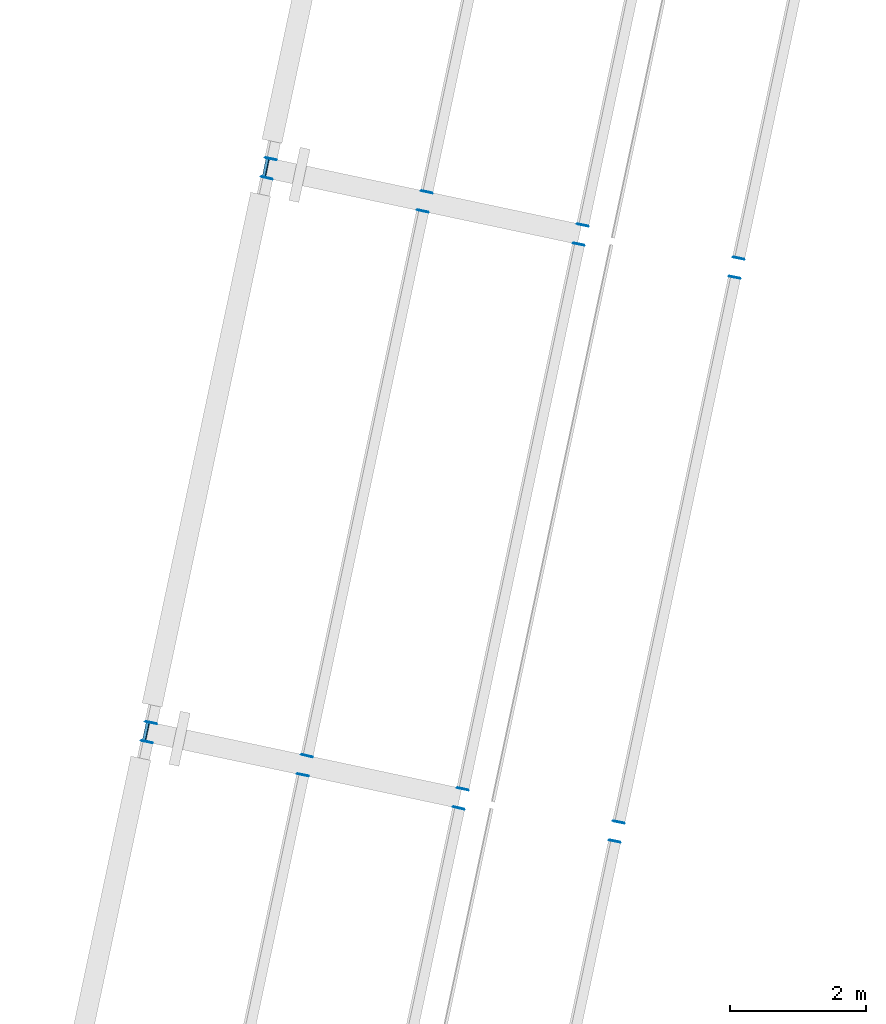
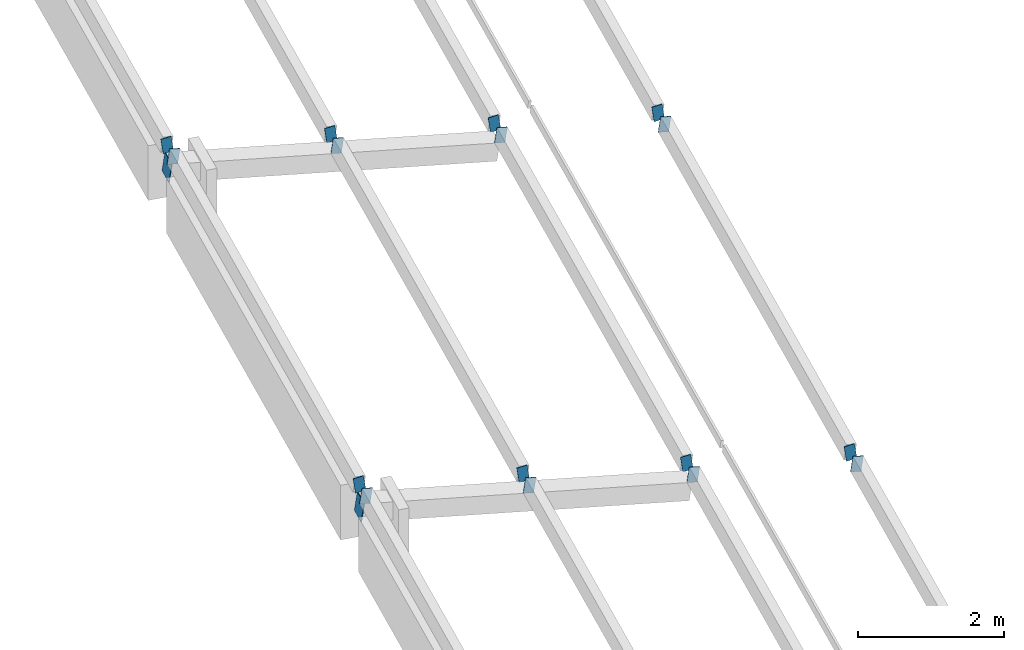
# One storey, part 58 of 69: 18 discrete accessories.
"""IFC4 building model written with IfcOpenShell, lengths in metres."""

import ifcopenshell
import ifcopenshell.guid

model = None  # the IFC model being written
_history = None  # IfcOwnerHistory: only IFC2X3 demands one
_inside = {}  # id of a spatial element -> (the spatial element, [elements in it])
_under = {}  # id of a project, library or spatial element -> (it, [spatial elements below it])
_declared = {}  # id of a project -> (the project, [libraries it declares])
_typed = {}  # id of a type object -> (the type object, [elements of that type])
_made_of = {}  # id of a material, layer set ... -> (it, [elements and type objects made of it])


def new_model(schema):
    """Start an empty IFC model of exactly this schema.

    Asked for "IFC4X3", IfcOpenShell would pick the latest addendum, in which some entities
    have other attributes; the version numbers below select the first issue.
    IFC2X3 requires an IfcOwnerHistory on every rooted entity: one is made here for all.
    """
    global model, _history
    if schema == "IFC4X3":
        model = ifcopenshell.file(schema_version=(4, 3, 0, 0))
    else:
        model = ifcopenshell.file(schema=schema)
    _inside.clear()
    _under.clear()
    _declared.clear()
    _typed.clear()
    _made_of.clear()
    _history = None
    if model.schema == "IFC2X3":
        org = make("IfcOrganization", Name="unknown")
        user = make(
            "IfcPersonAndOrganization",
            ThePerson=make("IfcPerson", FamilyName="unknown"),
            TheOrganization=org,
        )
        app = make(
            "IfcApplication",
            ApplicationDeveloper=org,
            Version="unknown",
            ApplicationFullName="unknown",
            ApplicationIdentifier="unknown",
        )
        _history = make(
            "IfcOwnerHistory",
            OwningUser=user,
            OwningApplication=app,
            ChangeAction="ADDED",
            CreationDate=0,
        )
    return model


def make(cls, **values):
    """One entity of the class cls with the attributes given. An attribute that is None is left unset."""
    return model.create_entity(
        cls, **{name: value for name, value in values.items() if value is not None}
    )


def rooted(cls, **values):
    """An entity with a GlobalId (a new one), such as an element, a storey or a relation."""
    return make(cls, GlobalId=ifcopenshell.guid.new(), OwnerHistory=_history, **values)


def si_unit(unit_type, name, prefix=None):
    """IfcSIUnit, for example si_unit("LENGTHUNIT", "METRE", prefix="MILLI")."""
    return make("IfcSIUnit", UnitType=unit_type, Prefix=prefix, Name=name)


def assignment(units):
    """IfcUnitAssignment: the units of a project."""
    return None if units is None else make("IfcUnitAssignment", Units=units)


def point(xyz):
    """IfcCartesianPoint."""
    return None if xyz is None else make("IfcCartesianPoint", Coordinates=xyz)


def direction(xyz):
    """IfcDirection."""
    return None if xyz is None else make("IfcDirection", DirectionRatios=xyz)


def frame(location, z_axis=None, x_axis=None):
    """IfcAxis2Placement3D, a coordinate frame: its origin and axes. An axis left out is left unset."""
    return make(
        "IfcAxis2Placement3D",
        Location=point(location),
        Axis=direction(z_axis),
        RefDirection=direction(x_axis),
    )


def frame_2d(location, x_axis=None):
    """IfcAxis2Placement2D, a coordinate frame in the plane: its origin and x axis."""
    return make(
        "IfcAxis2Placement2D", Location=point(location), RefDirection=direction(x_axis)
    )


def origin():
    """The frame at (0, 0, 0) with its axes left unset."""
    return frame((0.0, 0.0, 0.0))


def origin_2d():
    """The frame at (0, 0) in the plane with its x axis left unset."""
    return frame_2d((0.0, 0.0))


def place(relative_to, where):
    """IfcLocalPlacement: puts the frame where relative to a parent placement (None: the world)."""
    return make(
        "IfcLocalPlacement", PlacementRelTo=relative_to, RelativePlacement=where
    )


def context(
    kind, dimensions, precision=None, world=None, true_north=None, identifier=None
):
    """IfcGeometricRepresentationContext, for example the 3D "Model" context."""
    return make(
        "IfcGeometricRepresentationContext",
        ContextIdentifier=identifier,
        ContextType=kind,
        CoordinateSpaceDimension=dimensions,
        Precision=precision,
        WorldCoordinateSystem=world,
        TrueNorth=true_north,
    )


def subcontext(parent, identifier, kind, view, scale=None):
    """IfcGeometricRepresentationSubContext, for example "Body" below "Model"."""
    return make(
        "IfcGeometricRepresentationSubContext",
        ContextIdentifier=identifier,
        ContextType=kind,
        ParentContext=parent,
        TargetScale=scale,
        TargetView=view,
    )


def project(units=None, contexts=None):
    """IfcProject with its units and contexts."""
    return rooted(
        "IfcProject",
        Name="project",
        RepresentationContexts=contexts,
        UnitsInContext=assignment(units),
    )


def spatial(cls, under=None, at=None, **own):
    """A site, building, storey or space (cls), placed at a placement, below another one or the project."""
    s = rooted(cls, ObjectPlacement=at, **own)
    if under is not None:
        _under.setdefault(under.id(), (under, []))[1].append(s)
    return s


def profile(cls, at=None, kind="AREA", **sizes):
    """A parametric profile (cls). Its sizes go by their IFC names, for example OverallWidth=200.0."""
    return make(cls, ProfileType=kind, Position=at, **sizes)


def rectangle(**sizes):
    """IfcRectangleProfileDef."""
    return profile("IfcRectangleProfileDef", **sizes)


def extrude(swept, where, along, depth):
    """IfcExtrudedAreaSolid: the profile swept, set in the frame where, extruded along a direction by depth."""
    return make(
        "IfcExtrudedAreaSolid",
        SweptArea=swept,
        Position=where,
        ExtrudedDirection=direction(along),
        Depth=depth,
    )


def shape(context_of_items, identifier, shape_type, items):
    """IfcShapeRepresentation: the items that make up one representation, for example the "Body"."""
    return make(
        "IfcShapeRepresentation",
        ContextOfItems=context_of_items,
        RepresentationIdentifier=identifier,
        RepresentationType=shape_type,
        Items=items,
    )


def material(Name=None, Category=None):
    """IfcMaterial."""
    return make("IfcMaterial", Name=Name, Category=Category)


def layer(
    of_material, thickness, ventilated=None, Name=None, Category=None, Priority=None
):
    """IfcMaterialLayer: one layer of a wall or slab, of a material (None: an air gap)."""
    return make(
        "IfcMaterialLayer",
        Material=of_material,
        LayerThickness=thickness,
        IsVentilated=ventilated,
        Name=Name,
        Category=Category,
        Priority=Priority,
    )


def layer_set(layers, Name=None):
    """IfcMaterialLayerSet."""
    return make("IfcMaterialLayerSet", MaterialLayers=layers, LayerSetName=Name)


def made_of(thing, what):
    """Note that an element or type object is made of a material, layer set ...; save() writes the relation."""
    if what is not None:
        _made_of.setdefault(what.id(), (what, []))[1].append(thing)
    return thing


def type_object(cls, material=None, **own):
    """A type object (cls), such as IfcWallType, which elements share."""
    return made_of(rooted(cls, **own), material)


def element(
    cls,
    number,
    at=None,
    inside=None,
    cuts=None,
    type_object=None,
    material=None,
    context=None,
    identifier="Body",
    shape_type=None,
    held_by="IfcProductDefinitionShape",
    body=None,
    shapes=None,
    **own,
):
    """One element of the class cls, such as IfcWall. Its Tag is "e" and its number.

    at: its placement. inside: the storey or other place that contains it. cuts: it is an
    opening in that element (IfcRelVoidsElement). A single representation is given by context,
    identifier, shape_type and body (its items); several are given by shapes. held_by: the class
    of the entity that holds the representations. save() writes the other relations.
    """
    e = rooted(cls, Tag="e%d" % number, ObjectPlacement=at, **own)
    if body is not None:
        shapes = [shape(context, identifier, shape_type, body)]
    if shapes is not None:
        e.Representation = make(held_by, Representations=shapes)
    if inside is not None:
        _inside.setdefault(inside.id(), (inside, []))[1].append(e)
    if cuts is not None:
        rooted(
            "IfcRelVoidsElement", RelatingBuildingElement=cuts, RelatedOpeningElement=e
        )
    if type_object is not None:
        _typed.setdefault(type_object.id(), (type_object, []))[1].append(e)
    return made_of(e, material)


def aggregate(whole, parts):
    """IfcRelAggregates: a whole, such as a stair, and the parts it consists of."""
    return rooted("IfcRelAggregates", RelatingObject=whole, RelatedObjects=parts)


def save(model, path):
    """Write the relations noted so far, then the file.

    IfcRelAggregates (storeys below a building ...), IfcRelContainedInSpatialStructure (elements
    in a storey), IfcRelDefinesByType, IfcRelAssociatesMaterial and IfcRelDeclares: one each for
    every whole, place, type object, material and project.
    """
    for whole, parts in _under.values():
        aggregate(whole, parts)
    for where, things in _inside.values():
        rooted(
            "IfcRelContainedInSpatialStructure",
            RelatedElements=things,
            RelatingStructure=where,
        )
    for kind, things in _typed.values():
        rooted("IfcRelDefinesByType", RelatedObjects=things, RelatingType=kind)
    for what, things in _made_of.values():
        rooted("IfcRelAssociatesMaterial", RelatedObjects=things, RelatingMaterial=what)
    for by, libraries in _declared.values():
        rooted("IfcRelDeclares", RelatingContext=by, RelatedDefinitions=libraries)
    model.write(path)


model = new_model("IFC4")

# Units and contexts
model_context = context("Model", 3, precision=1e-05, world=origin(), true_north=direction((0.0, 1.0)))
body_context = subcontext(model_context, "Body", "Model", "MODEL_VIEW")
ifc_project = project(units=[si_unit("LENGTHUNIT", "METRE"), si_unit("AREAUNIT", "SQUARE_METRE"), si_unit("VOLUMEUNIT", "CUBIC_METRE"), si_unit("PLANEANGLEUNIT", "RADIAN"), si_unit("MASSUNIT", "GRAM", prefix="KILO")], contexts=[model_context])

# Site, building, storey
site_placement = place(None, origin())
site = spatial("IfcSite", under=ifc_project, at=site_placement, CompositionType="ELEMENT")
building_placement = place(site_placement, origin())
building = spatial("IfcBuilding", under=site, at=building_placement, Name="Okhra Congress Centre", CompositionType="ELEMENT")
storey_placement = place(building_placement, frame((0.0, 0.0, 16.800048828125)))
storey = spatial("IfcBuildingStorey", under=building, at=storey_placement, Name="L03", CompositionType="ELEMENT", Elevation=16.800048828125)

# Discrete accessories
ifc_material = material(Name="Steel S355J2", Category="steel")
ifc_layer = layer(ifc_material, 0.011962890625)
ifc_layer_set = layer_set([ifc_layer], Name="Hollow section end cap 12 mm S355")
discrete_accessory_type = type_object("IfcDiscreteAccessoryType", Name="Hollow section end cap 12 mm S355", PredefinedType="BRACKET", material=ifc_layer_set)
discrete_accessory_1_placement = place(storey_placement, frame((203.484130859375, 112.302734375, 0.78564453125), z_axis=(-0.967889899037, 0.205934021072, 0.14415381475), x_axis=(-0.208107644465, -0.978105928985, 0.0)))
element("IfcDiscreteAccessory", 1, at=discrete_accessory_1_placement, inside=storey, type_object=discrete_accessory_type, Name="Hollow section end cap", PredefinedType="BRACKET", context=body_context, shape_type="SweptSolid", body=[
    extrude(rectangle(XDim=0.300048828125, YDim=0.300048828125, at=origin_2d()), origin(), (0.0, 0.0, 1.0), 0.011962890625),
])
discrete_accessory_2_placement = place(storey_placement, frame((205.25146484375, 120.616943359375, 0.78564453125), z_axis=(-0.969153265158, 0.201906930241, 0.141334851169), x_axis=(-0.203954254112, -0.978980419738, 0.0)))
element("IfcDiscreteAccessory", 2, at=discrete_accessory_2_placement, inside=storey, type_object=discrete_accessory_type, Name="Hollow section end cap", PredefinedType="BRACKET", context=body_context, shape_type="SweptSolid", body=[
    extrude(rectangle(XDim=0.300048828125, YDim=0.300048828125, at=origin_2d()), origin(), (0.0, 0.0, 1.0), 0.01220703125),
])
discrete_accessory_3_placement = place(storey_placement, frame((203.490478515625, 112.14794921875, 1.05810546875), z_axis=(0.199960011996, 0.97980405878, 0.0), x_axis=(-0.970268673034, 0.198014014905, 0.13917310096)))
element("IfcDiscreteAccessory", 3, at=discrete_accessory_3_placement, inside=storey, type_object=discrete_accessory_type, Name="Hollow section end cap", PredefinedType="BRACKET", context=body_context, shape_type="SweptSolid", body=[
    extrude(rectangle(XDim=0.14990234375, YDim=0.25, at=origin_2d()), origin(), (0.0, 0.0, 1.0), 0.01220703125),
])
for number, where, z_axis, x_axis, name in (
    (4, (205.7890625, 111.659423828125, 0.727783203125), (0.203954254112, 0.978980419738, 0.0), (-0.969453049589, 0.201969385331, 0.13917310096), "Hollow section end cap"),
    (5, (208.087646484375, 111.1708984375, 0.3974609375), (0.223376156329, 0.974732318528, 0.0), (-0.965246290609, 0.221202274931, 0.13917310096), "Hollow section end cap"),
    (6, (210.386474609375, 110.682373046875, 0.067138671875), (0.203954254112, 0.978980419738, 0.0), (-0.969453049589, 0.201969385331, 0.13917310096), "Hollow section end cap"),
    (7, (203.552734375, 112.44140625, 1.05810546875), (-0.203954254112, -0.978980419738, 0.0), (0.969453049589, -0.201969385331, 0.13917310096), "Hollow section end cap"),
    (8, (205.257568359375, 120.46240234375, 1.05810546875), (0.223376156329, 0.974732318528, 0.0), (-0.965246290609, 0.221202274931, 0.13917310096), "Hollow section end cap"),
    (9, (205.8515625, 111.952880859375, 0.727783203125), (-0.223376156329, -0.974732318528, 0.0), (0.965246290609, -0.221202274931, 0.13917310096), "Hollow section end cap"),
    (10, (207.556396484375, 119.9736328125, 0.727783203125), (0.203954254112, 0.978980419738, 0.0), (-0.969453049589, 0.201969385331, 0.13917310096), "Hollow section end cap"),
    (11, (208.150146484375, 111.46435546875, 0.3974609375), (-0.203954254112, -0.978980419738, 0.0), (0.969453049589, -0.201969385331, 0.13917310096), "Hollow section end cap"),
    (12, (209.85498046875, 119.485107421875, 0.3974609375), (0.203954254112, 0.978980419738, 0.0), (-0.969453049589, 0.201969385331, 0.13917310096), "Hollow section end cap"),
):
    element("IfcDiscreteAccessory", number, at=place(storey_placement, frame(where, z_axis=z_axis, x_axis=x_axis)), inside=storey, type_object=discrete_accessory_type, Name=name, PredefinedType="BRACKET", context=body_context, shape_type="SweptSolid", body=[
        extrude(rectangle(XDim=0.14990234375, YDim=0.25, at=origin_2d()), origin(), (0.0, 0.0, 1.0), 0.011962890625),
    ])
discrete_accessory_4_placement = place(storey_placement, frame((210.44873046875, 110.975830078125, 0.067138671875), z_axis=(-0.199960011996, -0.97980405878, 0.0), x_axis=(0.970268673034, -0.198014014905, 0.13917310096)))
element("IfcDiscreteAccessory", 13, at=discrete_accessory_4_placement, inside=storey, type_object=discrete_accessory_type, Name="Hollow section end cap", PredefinedType="BRACKET", context=body_context, shape_type="SweptSolid", body=[
    extrude(rectangle(XDim=0.14990234375, YDim=0.25, at=origin_2d()), origin(), (0.0, 0.0, 1.0), 0.01220703125),
])
discrete_accessory_5_placement = place(storey_placement, frame((212.153564453125, 118.99658203125, 0.067138671875), z_axis=(0.203954254112, 0.978980419738, 0.0), x_axis=(-0.969453049589, 0.201969385331, 0.13917310096)))
element("IfcDiscreteAccessory", 14, at=discrete_accessory_5_placement, inside=storey, type_object=discrete_accessory_type, Name="Hollow section end cap", PredefinedType="BRACKET", context=body_context, shape_type="SweptSolid", body=[
    extrude(rectangle(XDim=0.14990234375, YDim=0.25, at=origin_2d()), origin(), (0.0, 0.0, 1.0), 0.011962890625),
])
discrete_accessory_6_placement = place(storey_placement, frame((205.320068359375, 120.755859375, 1.05810546875), z_axis=(-0.199960011996, -0.97980405878, 0.0), x_axis=(0.970268673034, -0.198014014905, 0.13917310096)))
element("IfcDiscreteAccessory", 15, at=discrete_accessory_6_placement, inside=storey, type_object=discrete_accessory_type, Name="Hollow section end cap", PredefinedType="BRACKET", context=body_context, shape_type="SweptSolid", body=[
    extrude(rectangle(XDim=0.14990234375, YDim=0.25, at=origin_2d()), origin(), (0.0, 0.0, 1.0), 0.01220703125),
])
for number, where, z_axis, x_axis, name in (
    (16, (207.61865234375, 120.26708984375, 0.727783203125), (-0.203954254112, -0.978980419738, 0.0), (0.969453049589, -0.201969385331, 0.13917310096), "Hollow section end cap"),
    (17, (209.917236328125, 119.778564453125, 0.3974609375), (-0.203954254112, -0.978980419738, 0.0), (0.969453049589, -0.201969385331, 0.13917310096), "Hollow section end cap"),
    (18, (212.216064453125, 119.2900390625, 0.067138671875), (-0.203954254112, -0.978980419738, 0.0), (0.969453049589, -0.201969385331, 0.13917310096), "Hollow section end cap"),
):
    element("IfcDiscreteAccessory", number, at=place(storey_placement, frame(where, z_axis=z_axis, x_axis=x_axis)), inside=storey, type_object=discrete_accessory_type, Name=name, PredefinedType="BRACKET", context=body_context, shape_type="SweptSolid", body=[
        extrude(rectangle(XDim=0.14990234375, YDim=0.25, at=origin_2d()), origin(), (0.0, 0.0, 1.0), 0.011962890625),
    ])

save(model, "model.ifc")
